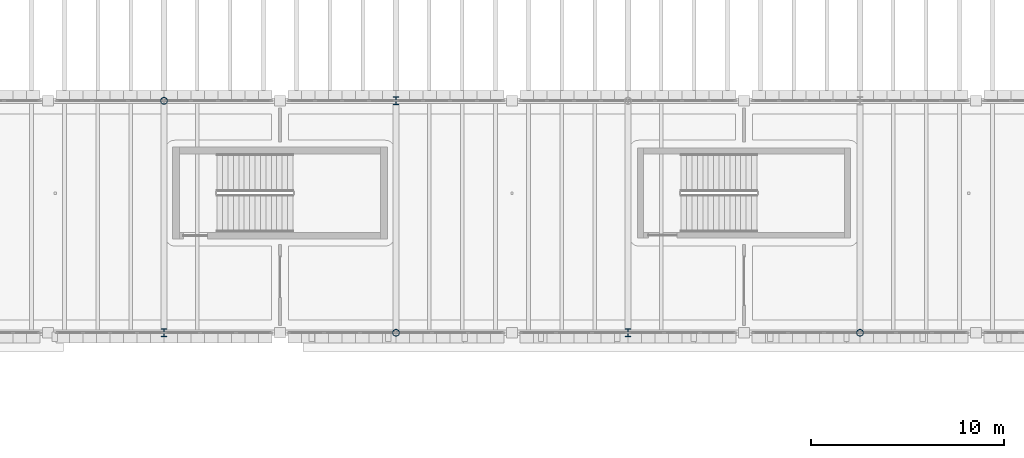
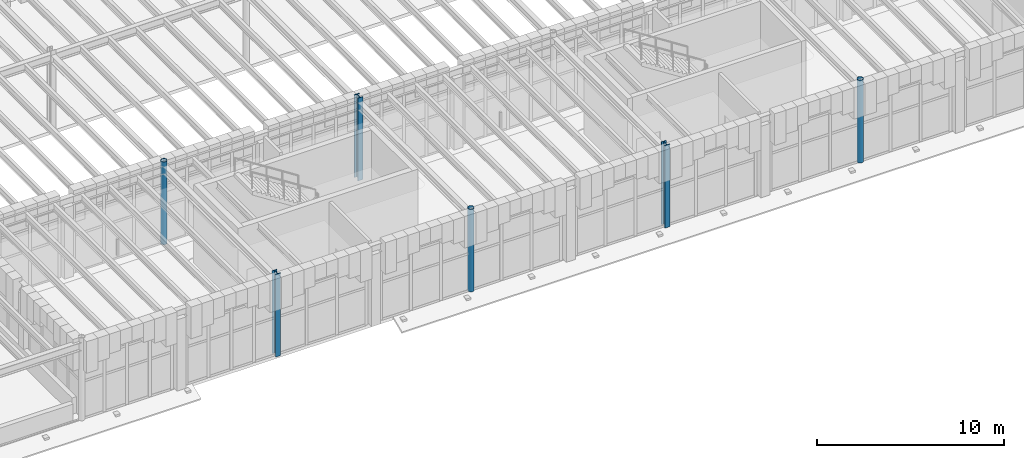
# One storey, part 8 of 100: 6 columns.
"""IFC4 building model written with IfcOpenShell, lengths in metres."""

from ifc_helpers import new_model, si_unit, direction, frame, origin, origin_2d, place, context, subcontext, project, spatial, hollow_circle, i_section, extrude, material, material_profile, profile_set, type_object, element, save


model = new_model("IFC4")

# Units and contexts
model_context = context("Model", 3, precision=1e-05, world=origin(), true_north=direction((0.0, 1.0)))
body_context = subcontext(model_context, "Body", "Model", "MODEL_VIEW")
ifc_project = project(units=[si_unit("LENGTHUNIT", "METRE"), si_unit("AREAUNIT", "SQUARE_METRE"), si_unit("VOLUMEUNIT", "CUBIC_METRE"), si_unit("PLANEANGLEUNIT", "RADIAN"), si_unit("MASSUNIT", "GRAM", prefix="KILO")], contexts=[model_context])

# Site, building, storey
site_placement = place(None, origin())
site = spatial("IfcSite", under=ifc_project, at=site_placement, CompositionType="ELEMENT")
building_placement = place(site_placement, origin())
building = spatial("IfcBuilding", under=site, at=building_placement, Name="Zlatogorsky Bluff Art Gallery", CompositionType="ELEMENT")
storey_placement = place(building_placement, frame((0.0, 0.0, 5.39990234375)))
storey = spatial("IfcBuildingStorey", under=building, at=storey_placement, Name="L01", CompositionType="ELEMENT", Elevation=5.39990234375)

# Columns
ifc_material = material(Name="Steel S355", Category="steel")
ifc_material_profile_1 = material_profile(ifc_material, i_section(OverallWidth=0.300048828125, OverallDepth=0.39990234375, WebThickness=0.013427734375, FlangeThickness=0.02392578125, FilletRadius=0.027099609375, at=origin_2d()), Name="HEB 400")
ifc_profile_set_1 = profile_set([ifc_material_profile_1], Name="Steel S355")
column_type_1 = type_object("IfcColumnType", Name="Column CL-04 HEB 400", PredefinedType="COLUMN", material=ifc_profile_set_1)
for number, where, z_axis, x_axis, name in (
    (1, (72.0, 84.0, 0.0), (0.0, 0.0, 1.0), (1.0, 0.0, 0.0), "Column CL-04 L01 G9"),
    (2, (84.0, 96.0, 0.0), (0.0, 0.0, 1.0), (1.0, 0.0, 0.0), "Column CL-04 L01 H10"),
    (3, (96.0, 84.0, 0.0), (0.0, 0.0, 1.0), (1.0, 0.0, 0.0), "Column CL-04 L01 J9"),
):
    element("IfcColumn", number, at=place(storey_placement, frame(where, z_axis=z_axis, x_axis=x_axis)), inside=storey, type_object=column_type_1, Name=name, PredefinedType="COLUMN", context=body_context, shape_type="SweptSolid", body=[
        extrude(i_section(OverallWidth=0.300048828125, OverallDepth=0.39990234375, WebThickness=0.013427734375, FlangeThickness=0.02392578125, FilletRadius=0.027099609375, at=origin_2d()), origin(), (0.0, 0.0, 1.0), 5.400146484375),
    ])
ifc_material_profile_2 = material_profile(ifc_material, hollow_circle(Radius=0.177734375, WallThickness=0.01611328125, at=origin_2d()), Name="CHS 355.6x16")
ifc_profile_set_2 = profile_set([ifc_material_profile_2], Name="Steel S355")
column_type_2 = type_object("IfcColumnType", Name="Column CL-10 CHS 355.6x16", PredefinedType="COLUMN", material=ifc_profile_set_2)
for number, where, z_axis, x_axis, name in (
    (4, (72.0, 96.0, 0.0), (0.0, 0.0, 1.0), (1.0, 0.0, 0.0), "Column CL-10 L01 G10"),
    (5, (84.0, 84.0, 0.0), (0.0, 0.0, 1.0), (1.0, 0.0, 0.0), "Column CL-10 L01 H9"),
    (6, (108.0, 84.0, 0.0), (0.0, 0.0, 1.0), (1.0, 0.0, 0.0), "Column CL-10 L01 K9"),
):
    element("IfcColumn", number, at=place(storey_placement, frame(where, z_axis=z_axis, x_axis=x_axis)), inside=storey, type_object=column_type_2, Name=name, PredefinedType="COLUMN", context=body_context, shape_type="SweptSolid", body=[
        extrude(hollow_circle(Radius=0.177734375, WallThickness=0.01611328125, at=origin_2d()), origin(), (0.0, 0.0, 1.0), 5.400146484375),
    ])

save(model, "model.ifc")
